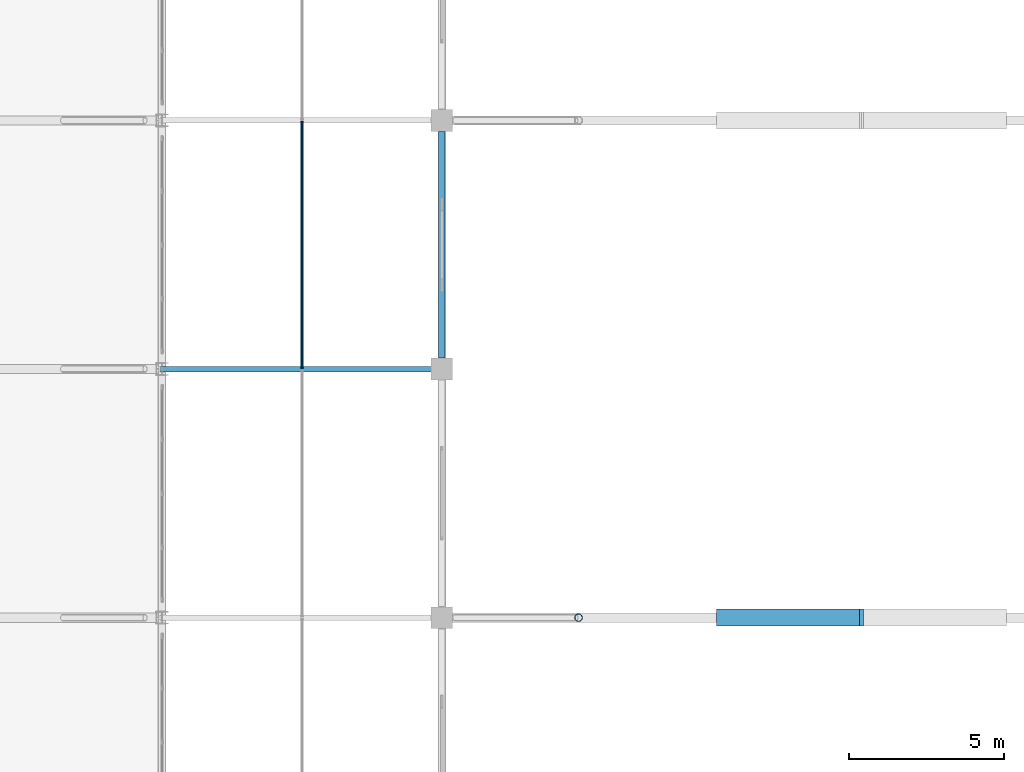
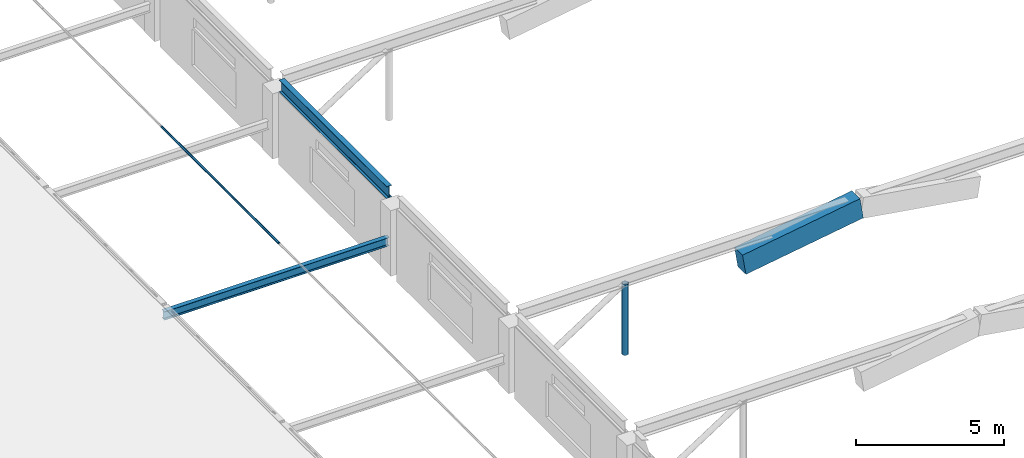
# One storey, part 27 of 128: 3 beams, 2 members.
"""IFC4 building model written with IfcOpenShell, lengths in metres."""

from ifc_helpers import new_model, si_unit, derived_unit, direction, frame, origin, origin_2d, place, context, subcontext, project, spatial, rectangle, hollow_circle, i_section, extrude, material, material_profile, profile_set, type_object, element, save


model = new_model("IFC4")

# Units and contexts
model_context = context("Model", 3, precision=1e-05, world=origin(), true_north=direction((0.0, 1.0)))
body_context = subcontext(model_context, "Body", "Model", "MODEL_VIEW")
ifc_project = project(units=[si_unit("LENGTHUNIT", "METRE"), si_unit("AREAUNIT", "SQUARE_METRE"), si_unit("VOLUMEUNIT", "CUBIC_METRE"), si_unit("PLANEANGLEUNIT", "RADIAN"), si_unit("MASSUNIT", "GRAM", prefix="KILO"), derived_unit("THERMALTRANSMITTANCEUNIT", [(si_unit("MASSUNIT", "GRAM", prefix="KILO"), 1), (si_unit("TIMEUNIT", "SECOND"), -3), (si_unit("THERMODYNAMICTEMPERATUREUNIT", "KELVIN"), -1)])], contexts=[model_context])

# Site, building, storey
site_placement = place(None, origin())
site = spatial("IfcSite", under=ifc_project, at=site_placement, CompositionType="ELEMENT")
building_placement = place(site_placement, origin())
building = spatial("IfcBuilding", under=site, at=building_placement, Name="Zhenchuan Archway Interchange", CompositionType="ELEMENT")
storey_placement = place(building_placement, frame((0.0, 0.0, 14.39990234375)))
storey = spatial("IfcBuildingStorey", under=building, at=storey_placement, Name="L03", CompositionType="ELEMENT", Elevation=14.39990234375)

# Beams
ifc_material_1 = material(Name="Concrete C50", Category="concrete")
ifc_material_profile_1 = material_profile(ifc_material_1, rectangle(XDim=0.550048828125, YDim=0.85009765625, at=origin_2d()), Name="RC 550x850")
ifc_profile_set_1 = profile_set([ifc_material_profile_1], Name="Concrete C50")
beam_type_1 = type_object("IfcBeamType", Name="BM_RC_ARCH_550x850", PredefinedType="BEAM", material=ifc_profile_set_1)
beam_1_placement = place(storey_placement, frame((44.902099609375, 48.0, 2.05029296875), z_axis=(0.987636302069, 0.0, 0.156762670416), x_axis=(0.0, 1.0, 0.0)))
element("IfcBeam", 1, at=beam_1_placement, inside=storey, type_object=beam_type_1, Name="Parabolic RC concourse arch A3 segment 3", PredefinedType="BEAM", context=body_context, shape_type="SweptSolid", body=[
    extrude(rectangle(XDim=0.550048828125, YDim=0.85009765625, at=origin_2d()), origin(), (0.0, 0.0, 1.0), 4.653564453125),
])
ifc_material_2 = material(Name="Steel Q355", Category="steel")
ifc_material_profile_2 = material_profile(ifc_material_2, i_section(OverallWidth=0.175048828125, OverallDepth=0.35009765625, WebThickness=0.007080078125, FlangeThickness=0.010986328125, FilletRadius=0.013916015625, at=origin_2d()), Name="HN 350x175")
ifc_profile_set_2 = profile_set([ifc_material_profile_2], Name="Steel Q355")
beam_type_2 = type_object("IfcBeamType", Name="BM_STL_EAVE_HN350", PredefinedType="BEAM", material=ifc_profile_set_2)
beam_2_placement = place(storey_placement, frame((26.949951171875, 56.0, 1.25), z_axis=(1.0, 0.0, 0.0), x_axis=(0.0, 1.0, 0.0)))
element("IfcBeam", 2, at=beam_2_placement, inside=storey, type_object=beam_type_2, Name="Concourse west ring-to-clerestory tie beam 5", PredefinedType="BEAM", context=body_context, shape_type="SweptSolid", body=[
    extrude(i_section(OverallWidth=0.175048828125, OverallDepth=0.35009765625, WebThickness=0.007080078125, FlangeThickness=0.010986328125, FilletRadius=0.013916015625, at=origin_2d()), origin(), (0.0, 0.0, 1.0), 8.800048828125),
])
ifc_material_profile_3 = material_profile(ifc_material_2, i_section(OverallWidth=0.199951171875, OverallDepth=0.5, WebThickness=0.010009765625, FlangeThickness=0.01611328125, FilletRadius=0.02001953125, at=origin_2d()), Name="HN 500x200")
ifc_profile_set_3 = profile_set([ifc_material_profile_3], Name="Steel Q355")
beam_type_3 = type_object("IfcBeamType", Name="BM_STL_HN500", PredefinedType="BEAM", material=ifc_profile_set_3)
beam_3_placement = place(storey_placement, frame((36.0, 56.360107421875, 2.9501953125), z_axis=(0.0, 1.0, 0.0), x_axis=(-1.0, 0.0, 0.0)))
element("IfcBeam", 3, at=beam_3_placement, inside=storey, type_object=beam_type_3, Name="Concourse clerestory header beam W 56-64", PredefinedType="BEAM", context=body_context, shape_type="SweptSolid", body=[
    extrude(i_section(OverallWidth=0.199951171875, OverallDepth=0.5, WebThickness=0.010009765625, FlangeThickness=0.01611328125, FilletRadius=0.02001953125, at=origin_2d()), origin(), (0.0, 0.0, 1.0), 7.27978515625),
])

# Members
ifc_material_3 = material(Name="Steel Q390", Category="steel")
ifc_material_profile_4 = material_profile(ifc_material_3, hollow_circle(Radius=0.04443359375, WallThickness=0.006103515625, at=origin_2d()), Name="CHS 89x6")
ifc_profile_set_4 = profile_set([ifc_material_profile_4], Name="Steel Q390")
member_type_1 = type_object("IfcMemberType", Name="MB_CBL_CHS89", PredefinedType="USERDEFINED", material=ifc_profile_set_4)
member_1_placement = place(storey_placement, frame((31.5, 56.02001953125, 2.60009765625), z_axis=(0.0, 1.0, 0.0), x_axis=(-1.0, 0.0, 0.0)))
element("IfcMember", 4, at=member_1_placement, inside=storey, type_object=member_type_1, Name="CONCOURSE ROOF CABLE longitudinal net strand 4-1", ObjectType="CABLE", PredefinedType="USERDEFINED", context=body_context, shape_type="SweptSolid", body=[
    extrude(hollow_circle(Radius=0.04443359375, WallThickness=0.006103515625, at=origin_2d()), origin(), (0.0, 0.0, 1.0), 7.9599609375),
])
ifc_material_profile_5 = material_profile(ifc_material_2, hollow_circle(Radius=0.12255859375, WallThickness=0.010009765625, at=origin_2d()), Name="CHS 245x10")
ifc_profile_set_5 = profile_set([ifc_material_profile_5], Name="Steel Q355")
member_type_2 = type_object("IfcMemberType", Name="MB_CHS245", PredefinedType="BRACE", material=ifc_profile_set_5)
member_2_placement = place(storey_placement, frame((40.39990234375, 48.0, -0.199951171875), z_axis=(0.0, 0.0, 1.0), x_axis=(1.0, 0.0, 0.0)))
element("IfcMember", 5, at=member_2_placement, inside=storey, type_object=member_type_2, Name="ROOF TRUSS concourse arch A3 spandrel post 1", PredefinedType="BRACE", context=body_context, shape_type="SweptSolid", body=[
    extrude(hollow_circle(Radius=0.12255859375, WallThickness=0.010009765625, at=origin_2d()), origin(), (0.0, 0.0, 1.0), 2.920166015625),
])

save(model, "model.ifc")
